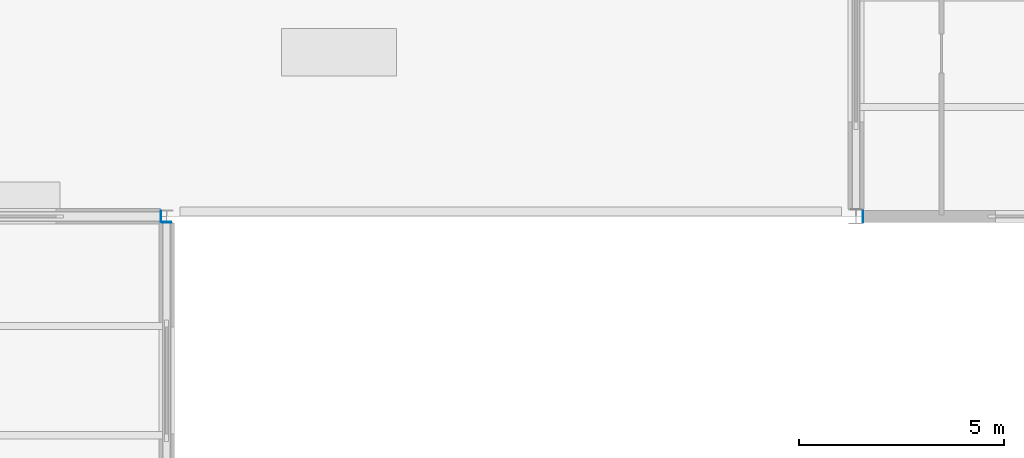
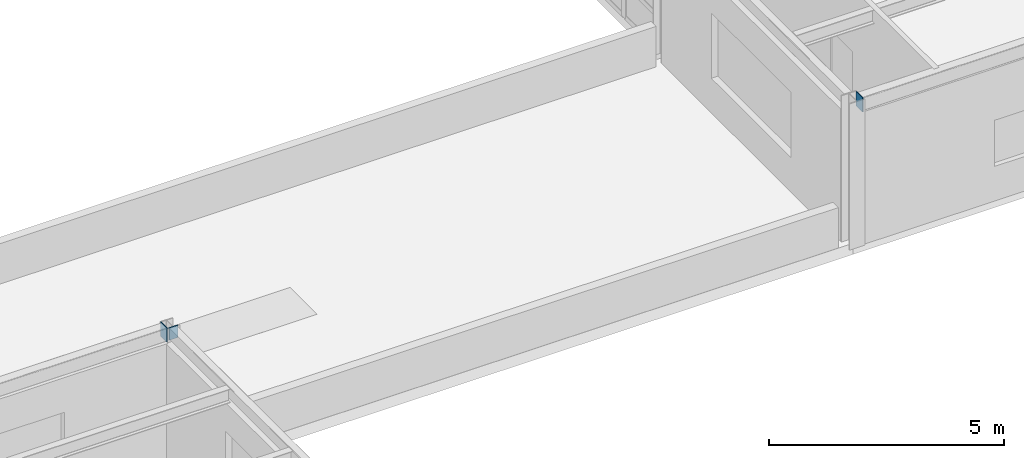
# One storey, part 121 of 138: 3 discrete accessories.
"""IFC4 building model written with IfcOpenShell, lengths in metres."""

from ifc_helpers import new_model, si_unit, direction, frame, origin, origin_2d, place, context, subcontext, project, spatial, rectangle, extrude, material, layer, layer_set, type_object, element, save


model = new_model("IFC4")

# Units and contexts
model_context = context("Model", 3, precision=1e-05, world=origin(), true_north=direction((0.0, 1.0)))
body_context = subcontext(model_context, "Body", "Model", "MODEL_VIEW")
ifc_project = project(units=[si_unit("LENGTHUNIT", "METRE"), si_unit("AREAUNIT", "SQUARE_METRE"), si_unit("VOLUMEUNIT", "CUBIC_METRE"), si_unit("PLANEANGLEUNIT", "RADIAN"), si_unit("MASSUNIT", "GRAM", prefix="KILO")], contexts=[model_context])

# Site, building, storey
site_placement = place(None, origin())
site = spatial("IfcSite", under=ifc_project, at=site_placement, CompositionType="ELEMENT")
building_placement = place(site_placement, origin())
building = spatial("IfcBuilding", under=site, at=building_placement, Name="Kranzveld Transit Interchange", CompositionType="ELEMENT")
storey_placement = place(building_placement, frame((0.0, 0.0, 5.43994140625)))
storey = spatial("IfcBuildingStorey", under=building, at=storey_placement, Name="L01", CompositionType="ELEMENT", Elevation=5.43994140625)

# Discrete accessories
ifc_material = material(Name="Steel S355JR", Category="steel")
ifc_layer = layer(ifc_material, 0.02001953125)
ifc_layer_set = layer_set([ifc_layer], Name="Steel S355JR")
discrete_accessory_type = type_object("IfcDiscreteAccessoryType", Name="Hollow Section End Cap Bracket 20 S355JR", PredefinedType="BRACKET", material=ifc_layer_set)
for number, where, z_axis, x_axis, name in (
    (1, (134.25146484375, 56.0, 3.625), (1.0, 0.0, 0.0), (0.0, 1.0, 0.0), "Hollow Section End Cap SP-RHS350-2"),
    (2, (151.38134765625, 56.0, 3.625), (-1.0, 0.0, 0.0), (0.0, -1.0, 0.0), "Hollow Section End Cap SP-RHS350-1"),
):
    element("IfcDiscreteAccessory", number, at=place(storey_placement, frame(where, z_axis=z_axis, x_axis=x_axis)), inside=storey, type_object=discrete_accessory_type, Name=name, PredefinedType="BRACKET", context=body_context, shape_type="SweptSolid", body=[
        extrude(rectangle(XDim=0.27392578125, YDim=0.3740234375, at=origin_2d()), origin(), (0.0, 0.0, 1.0), 0.02001953125),
    ])
discrete_accessory_placement = place(storey_placement, frame((134.39990234375, 55.845703125, 3.650146484375), z_axis=(0.0, 1.0, 0.0), x_axis=(-1.0, 0.0, 0.0)))
element("IfcDiscreteAccessory", 3, at=discrete_accessory_placement, inside=storey, type_object=discrete_accessory_type, Name="Hollow Section End Cap SP-RHS300-2", PredefinedType="BRACKET", context=body_context, shape_type="SweptSolid", body=[
    extrude(rectangle(XDim=0.22412109375, YDim=0.323974609375, at=origin_2d()), origin(), (0.0, 0.0, 1.0), 0.02001953125),
])

save(model, "model.ifc")
